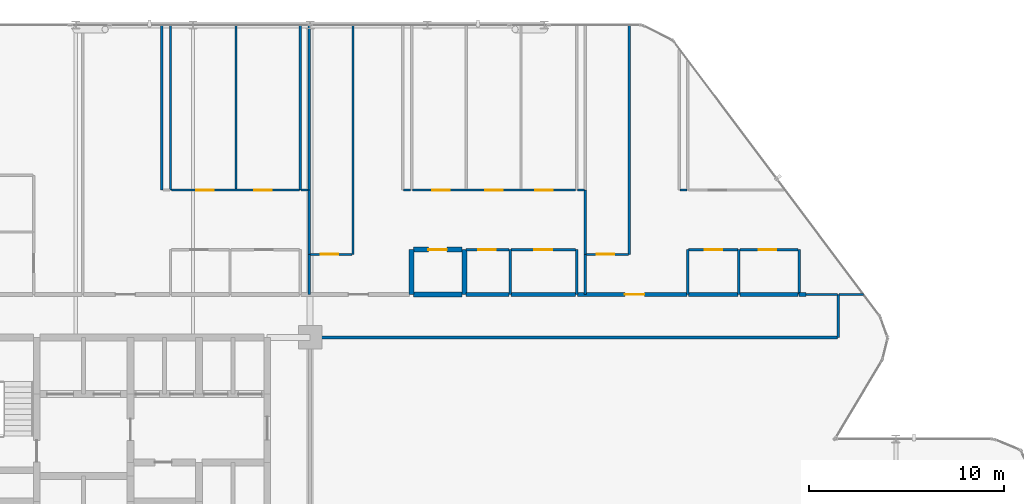
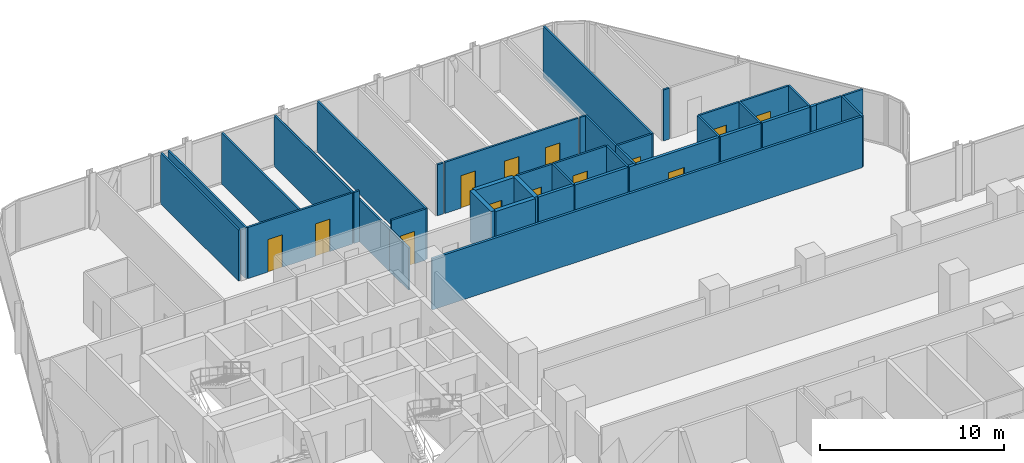
# One storey, part 31 of 34: 42 walls, 13 doors, 13 openings.
"""IFC4 building model written with IfcOpenShell, lengths in metres."""

import ifcopenshell
import ifcopenshell.guid

model = None  # the IFC model being written
_history = None  # IfcOwnerHistory: only IFC2X3 demands one
_inside = {}  # id of a spatial element -> (the spatial element, [elements in it])
_under = {}  # id of a project, library or spatial element -> (it, [spatial elements below it])
_declared = {}  # id of a project -> (the project, [libraries it declares])
_typed = {}  # id of a type object -> (the type object, [elements of that type])
_made_of = {}  # id of a material, layer set ... -> (it, [elements and type objects made of it])


def new_model(schema):
    """Start an empty IFC model of exactly this schema.

    Asked for "IFC4X3", IfcOpenShell would pick the latest addendum, in which some entities
    have other attributes; the version numbers below select the first issue.
    IFC2X3 requires an IfcOwnerHistory on every rooted entity: one is made here for all.
    """
    global model, _history
    if schema == "IFC4X3":
        model = ifcopenshell.file(schema_version=(4, 3, 0, 0))
    else:
        model = ifcopenshell.file(schema=schema)
    _inside.clear()
    _under.clear()
    _declared.clear()
    _typed.clear()
    _made_of.clear()
    _history = None
    if model.schema == "IFC2X3":
        org = make("IfcOrganization", Name="unknown")
        user = make(
            "IfcPersonAndOrganization",
            ThePerson=make("IfcPerson", FamilyName="unknown"),
            TheOrganization=org,
        )
        app = make(
            "IfcApplication",
            ApplicationDeveloper=org,
            Version="unknown",
            ApplicationFullName="unknown",
            ApplicationIdentifier="unknown",
        )
        _history = make(
            "IfcOwnerHistory",
            OwningUser=user,
            OwningApplication=app,
            ChangeAction="ADDED",
            CreationDate=0,
        )
    return model


def make(cls, **values):
    """One entity of the class cls with the attributes given. An attribute that is None is left unset."""
    return model.create_entity(
        cls, **{name: value for name, value in values.items() if value is not None}
    )


def rooted(cls, **values):
    """An entity with a GlobalId (a new one), such as an element, a storey or a relation."""
    return make(cls, GlobalId=ifcopenshell.guid.new(), OwnerHistory=_history, **values)


def si_unit(unit_type, name, prefix=None):
    """IfcSIUnit, for example si_unit("LENGTHUNIT", "METRE", prefix="MILLI")."""
    return make("IfcSIUnit", UnitType=unit_type, Prefix=prefix, Name=name)


def assignment(units):
    """IfcUnitAssignment: the units of a project."""
    return None if units is None else make("IfcUnitAssignment", Units=units)


def point(xyz):
    """IfcCartesianPoint."""
    return None if xyz is None else make("IfcCartesianPoint", Coordinates=xyz)


def direction(xyz):
    """IfcDirection."""
    return None if xyz is None else make("IfcDirection", DirectionRatios=xyz)


def frame(location, z_axis=None, x_axis=None):
    """IfcAxis2Placement3D, a coordinate frame: its origin and axes. An axis left out is left unset."""
    return make(
        "IfcAxis2Placement3D",
        Location=point(location),
        Axis=direction(z_axis),
        RefDirection=direction(x_axis),
    )


def frame_2d(location, x_axis=None):
    """IfcAxis2Placement2D, a coordinate frame in the plane: its origin and x axis."""
    return make(
        "IfcAxis2Placement2D", Location=point(location), RefDirection=direction(x_axis)
    )


def origin():
    """The frame at (0, 0, 0) with its axes left unset."""
    return frame((0.0, 0.0, 0.0))


def place(relative_to, where):
    """IfcLocalPlacement: puts the frame where relative to a parent placement (None: the world)."""
    return make(
        "IfcLocalPlacement", PlacementRelTo=relative_to, RelativePlacement=where
    )


def context(
    kind, dimensions, precision=None, world=None, true_north=None, identifier=None
):
    """IfcGeometricRepresentationContext, for example the 3D "Model" context."""
    return make(
        "IfcGeometricRepresentationContext",
        ContextIdentifier=identifier,
        ContextType=kind,
        CoordinateSpaceDimension=dimensions,
        Precision=precision,
        WorldCoordinateSystem=world,
        TrueNorth=true_north,
    )


def subcontext(parent, identifier, kind, view, scale=None):
    """IfcGeometricRepresentationSubContext, for example "Body" below "Model"."""
    return make(
        "IfcGeometricRepresentationSubContext",
        ContextIdentifier=identifier,
        ContextType=kind,
        ParentContext=parent,
        TargetScale=scale,
        TargetView=view,
    )


def project(units=None, contexts=None):
    """IfcProject with its units and contexts."""
    return rooted(
        "IfcProject",
        Name="project",
        RepresentationContexts=contexts,
        UnitsInContext=assignment(units),
    )


def spatial(cls, under=None, at=None, **own):
    """A site, building, storey or space (cls), placed at a placement, below another one or the project."""
    s = rooted(cls, ObjectPlacement=at, **own)
    if under is not None:
        _under.setdefault(under.id(), (under, []))[1].append(s)
    return s


def profile(cls, at=None, kind="AREA", **sizes):
    """A parametric profile (cls). Its sizes go by their IFC names, for example OverallWidth=200.0."""
    return make(cls, ProfileType=kind, Position=at, **sizes)


def rectangle(**sizes):
    """IfcRectangleProfileDef."""
    return profile("IfcRectangleProfileDef", **sizes)


def extrude(swept, where, along, depth):
    """IfcExtrudedAreaSolid: the profile swept, set in the frame where, extruded along a direction by depth."""
    return make(
        "IfcExtrudedAreaSolid",
        SweptArea=swept,
        Position=where,
        ExtrudedDirection=direction(along),
        Depth=depth,
    )


def shape(context_of_items, identifier, shape_type, items):
    """IfcShapeRepresentation: the items that make up one representation, for example the "Body"."""
    return make(
        "IfcShapeRepresentation",
        ContextOfItems=context_of_items,
        RepresentationIdentifier=identifier,
        RepresentationType=shape_type,
        Items=items,
    )


def material(Name=None, Category=None):
    """IfcMaterial."""
    return make("IfcMaterial", Name=Name, Category=Category)


def layer(
    of_material, thickness, ventilated=None, Name=None, Category=None, Priority=None
):
    """IfcMaterialLayer: one layer of a wall or slab, of a material (None: an air gap)."""
    return make(
        "IfcMaterialLayer",
        Material=of_material,
        LayerThickness=thickness,
        IsVentilated=ventilated,
        Name=Name,
        Category=Category,
        Priority=Priority,
    )


def layer_set(layers, Name=None):
    """IfcMaterialLayerSet."""
    return make("IfcMaterialLayerSet", MaterialLayers=layers, LayerSetName=Name)


def made_of(thing, what):
    """Note that an element or type object is made of a material, layer set ...; save() writes the relation."""
    if what is not None:
        _made_of.setdefault(what.id(), (what, []))[1].append(thing)
    return thing


def type_object(cls, material=None, **own):
    """A type object (cls), such as IfcWallType, which elements share."""
    return made_of(rooted(cls, **own), material)


def element(
    cls,
    number,
    at=None,
    inside=None,
    cuts=None,
    type_object=None,
    material=None,
    context=None,
    identifier="Body",
    shape_type=None,
    held_by="IfcProductDefinitionShape",
    body=None,
    shapes=None,
    **own,
):
    """One element of the class cls, such as IfcWall. Its Tag is "e" and its number.

    at: its placement. inside: the storey or other place that contains it. cuts: it is an
    opening in that element (IfcRelVoidsElement). A single representation is given by context,
    identifier, shape_type and body (its items); several are given by shapes. held_by: the class
    of the entity that holds the representations. save() writes the other relations.
    """
    e = rooted(cls, Tag="e%d" % number, ObjectPlacement=at, **own)
    if body is not None:
        shapes = [shape(context, identifier, shape_type, body)]
    if shapes is not None:
        e.Representation = make(held_by, Representations=shapes)
    if inside is not None:
        _inside.setdefault(inside.id(), (inside, []))[1].append(e)
    if cuts is not None:
        rooted(
            "IfcRelVoidsElement", RelatingBuildingElement=cuts, RelatedOpeningElement=e
        )
    if type_object is not None:
        _typed.setdefault(type_object.id(), (type_object, []))[1].append(e)
    return made_of(e, material)


def fill(opening, filler):
    """IfcRelFillsElement: the door or window that sits in an opening."""
    return rooted(
        "IfcRelFillsElement",
        RelatingOpeningElement=opening,
        RelatedBuildingElement=filler,
    )


def aggregate(whole, parts):
    """IfcRelAggregates: a whole, such as a stair, and the parts it consists of."""
    return rooted("IfcRelAggregates", RelatingObject=whole, RelatedObjects=parts)


def save(model, path):
    """Write the relations noted so far, then the file.

    IfcRelAggregates (storeys below a building ...), IfcRelContainedInSpatialStructure (elements
    in a storey), IfcRelDefinesByType, IfcRelAssociatesMaterial and IfcRelDeclares: one each for
    every whole, place, type object, material and project.
    """
    for whole, parts in _under.values():
        aggregate(whole, parts)
    for where, things in _inside.values():
        rooted(
            "IfcRelContainedInSpatialStructure",
            RelatedElements=things,
            RelatingStructure=where,
        )
    for kind, things in _typed.values():
        rooted("IfcRelDefinesByType", RelatedObjects=things, RelatingType=kind)
    for what, things in _made_of.values():
        rooted("IfcRelAssociatesMaterial", RelatedObjects=things, RelatingMaterial=what)
    for by, libraries in _declared.values():
        rooted("IfcRelDeclares", RelatingContext=by, RelatedDefinitions=libraries)
    model.write(path)


model = new_model("IFC4")

# Units and contexts
model_context = context("Model", 3, precision=1e-05, world=origin(), true_north=direction((0.0, 1.0)))
body_context = subcontext(model_context, "Body", "Model", "MODEL_VIEW")
ifc_project = project(units=[si_unit("LENGTHUNIT", "METRE"), si_unit("AREAUNIT", "SQUARE_METRE"), si_unit("VOLUMEUNIT", "CUBIC_METRE"), si_unit("PLANEANGLEUNIT", "RADIAN"), si_unit("MASSUNIT", "GRAM", prefix="KILO")], contexts=[model_context])

# Site, building, storey
site_placement = place(None, origin())
site = spatial("IfcSite", under=ifc_project, at=site_placement, CompositionType="ELEMENT")
building_placement = place(site_placement, origin())
building = spatial("IfcBuilding", under=site, at=building_placement, Name="Keshet Zoharim Tower", CompositionType="ELEMENT")
storey_placement = place(building_placement, frame((0.0, 0.0, 53.60009765625)))
storey = spatial("IfcBuildingStorey", under=building, at=storey_placement, Name="L12", CompositionType="ELEMENT", Elevation=53.60009765625)

# Walls
ifc_material_1 = material(Name="Gypsum Plasterboard", Category="gypsum")
ifc_layer_1 = layer(ifc_material_1, 0.14990234375)
ifc_layer_set_1 = layer_set([ifc_layer_1], Name="Gypsum Plasterboard")
wall_type_1 = type_object("IfcWallType", Name="WL-CLIN-150", PredefinedType="STANDARD", material=ifc_layer_set_1)
wall_1_placement = place(storey_placement, frame((33.070068359375, 37.89990234375, 0.0), z_axis=(0.0, 0.0, 1.0), x_axis=(1.0, 0.0, 0.0)))
element("IfcWall", 1, at=wall_1_placement, inside=storey, type_object=wall_type_1, Name="L12 Interior Wall 203", PredefinedType="STANDARD", context=body_context, shape_type="SweptSolid", body=[
    extrude(rectangle(XDim=26.934814453125, YDim=0.14990234375, at=frame_2d((13.46728515625, 0.0))), origin(), (0.0, 0.0, 1.0), 3.385009765625),
])
ifc_layer_2 = layer(ifc_material_1, 0.179931640625)
ifc_layer_set_2 = layer_set([ifc_layer_2], Name="Gypsum Plasterboard")
wall_type_2 = type_object("IfcWallType", Name="WL-CORR-180", PredefinedType="STANDARD", material=ifc_layer_set_2)
wall_2_placement = place(storey_placement, frame((40.987060546875, 40.10009765625, 0.0), z_axis=(0.0, 0.0, 1.0), x_axis=(1.0, 0.0, 0.0)))
element("IfcWall", 2, at=wall_2_placement, inside=storey, type_object=wall_type_2, Name="L12 Interior Wall 214", PredefinedType="STANDARD", context=body_context, shape_type="SweptSolid", body=[
    extrude(rectangle(XDim=2.2109375, YDim=0.179931640625, at=frame_2d((1.10546875, 0.0))), origin(), (0.0, 0.0, 1.0), 3.385009765625),
])
wall_3_placement = place(storey_placement, frame((43.2880859375, 40.10009765625, 0.0), z_axis=(0.0, 0.0, 1.0), x_axis=(1.0, 0.0, 0.0)))
element("IfcWall", 3, at=wall_3_placement, inside=storey, type_object=wall_type_2, Name="L12 Interior Wall 215", PredefinedType="STANDARD", context=body_context, shape_type="SweptSolid", body=[
    extrude(rectangle(XDim=3.306884765625, YDim=0.179931640625, at=frame_2d((1.6533203125, 0.0))), origin(), (0.0, 0.0, 1.0), 3.385009765625),
])

# Wall, opening, door
wall_4_placement = place(storey_placement, frame((46.68505859375, 40.10009765625, 0.0), z_axis=(0.0, 0.0, 1.0), x_axis=(1.0, 0.0, 0.0)))
wall_4 = element("IfcWall", 4, at=wall_4_placement, inside=storey, type_object=wall_type_2, Name="L12 Interior Wall 216", PredefinedType="STANDARD", context=body_context, shape_type="SweptSolid", body=[
    extrude(rectangle(XDim=5.60986328125, YDim=0.179931640625, at=frame_2d((2.804931640625, 0.0))), origin(), (0.0, 0.0, 1.0), 3.385009765625),
])
opening_1_placement = place(wall_4_placement, frame((2.43505859375, 0.0, 0.0)))
opening_1 = element("IfcOpeningElement", 5, at=opening_1_placement, cuts=wall_4, Name="Opening D-F310", PredefinedType="OPENING", context=body_context, shape_type="SweptSolid", body=[
    extrude(rectangle(XDim=1.0, YDim=2.14990234375, at=frame_2d((0.5, 1.074951171875))), frame((0.0, 0.10009765625, 0.0), z_axis=(0.0, -1.0, 0.0), x_axis=(1.0, 0.0, 0.0)), (0.0, 0.0, 1.0), 0.199951171875),
])
ifc_material_2 = material(Name="Hardwood Timber", Category="wood")
door_type_1 = type_object("IfcDoorType", Name="DR-FD30-100", OperationType="NOTDEFINED", PredefinedType="DOOR", material=ifc_material_2)
door_1_placement = place(opening_1_placement, origin())
door_1 = element("IfcDoor", 6, at=door_1_placement, inside=storey, type_object=door_type_1, Name="Apartment 1208 Entrance Door", OperationType="SINGLE_SWING_LEFT", OverallHeight=2.14990234375, OverallWidth=1.0, PredefinedType="DOOR", context=body_context, shape_type="SweptSolid", body=[
    extrude(rectangle(XDim=1.0, YDim=2.14990234375, at=frame_2d((0.5, 1.074951171875))), frame((0.0, 0.02490234375, 0.0), z_axis=(0.0, -1.0, 0.0), x_axis=(1.0, 0.0, 0.0)), (0.0, 0.0, 1.0), 0.050048828125),
])
fill(opening_1, door_1)

# Walls
wall_5_placement = place(storey_placement, frame((52.385009765625, 40.10009765625, 0.0), z_axis=(0.0, 0.0, 1.0), x_axis=(1.0, 0.0, 0.0)))
element("IfcWall", 7, at=wall_5_placement, inside=storey, type_object=wall_type_2, Name="L12 Interior Wall 217", PredefinedType="STANDARD", context=body_context, shape_type="SweptSolid", body=[
    extrude(rectangle(XDim=2.531005859375, YDim=0.179931640625, at=frame_2d((1.265625, 0.0))), origin(), (0.0, 0.0, 1.0), 3.385009765625),
])
wall_6_placement = place(storey_placement, frame((55.006103515625, 40.10009765625, 0.0), z_axis=(0.0, 0.0, 1.0), x_axis=(1.0, 0.0, 0.0)))
element("IfcWall", 8, at=wall_6_placement, inside=storey, type_object=wall_type_2, Name="L12 Interior Wall 218", PredefinedType="STANDARD", context=body_context, shape_type="SweptSolid", body=[
    extrude(rectangle(XDim=2.98681640625, YDim=0.179931640625, at=frame_2d((1.493408203125, 0.0))), origin(), (0.0, 0.0, 1.0), 3.385009765625),
])
wall_7_placement = place(storey_placement, frame((58.050048828125, 40.10009765625, 0.0), z_axis=(0.0, 0.0, 1.0), x_axis=(1.0, 0.0, 0.0)))
element("IfcWall", 9, at=wall_7_placement, inside=storey, type_object=wall_type_2, Name="L12 Interior Wall 219", PredefinedType="STANDARD", context=body_context, shape_type="SweptSolid", body=[
    extrude(rectangle(XDim=0.349853515625, YDim=0.179931640625, at=frame_2d((0.1748046875, 0.0))), origin(), (0.0, 0.0, 1.0), 3.385009765625),
])
ifc_material_3 = material(Name="Concrete C50/60", Category="concrete")
ifc_layer_3 = layer(ifc_material_3, 0.25)
ifc_layer_set_3 = layer_set([ifc_layer_3], Name="Concrete C50/60")
wall_type_3 = type_object("IfcWallType", Name="WL-MAMAD-250", PredefinedType="STANDARD", material=ifc_layer_set_3)
for number, where, z_axis, x_axis, name in (
    (10, (38.199951171875, 40.10009765625, 0.0), (0.0, 0.0, 1.0), (0.0, 1.0, 0.0), "L12 Interior Wall 081"),
    (11, (40.89990234375, 40.10009765625, 0.0), (0.0, 0.0, 1.0), (0.0, 1.0, 0.0), "L12 Interior Wall 085"),
):
    element("IfcWall", number, at=place(storey_placement, frame(where, z_axis=z_axis, x_axis=x_axis)), inside=storey, type_object=wall_type_3, Name=name, PredefinedType="STANDARD", context=body_context, shape_type="SweptSolid", body=[
        extrude(rectangle(XDim=2.2998046875, YDim=0.25, at=frame_2d((1.14990234375, 0.0))), origin(), (0.0, 0.0, 1.0), 3.385009765625),
    ])
wall_8_placement = place(storey_placement, frame((38.300048828125, 40.10009765625, 0.0), z_axis=(0.0, 0.0, 1.0), x_axis=(1.0, 0.0, 0.0)))
element("IfcWall", 12, at=wall_8_placement, inside=storey, type_object=wall_type_3, Name="L12 Interior Wall 213", PredefinedType="STANDARD", context=body_context, shape_type="SweptSolid", body=[
    extrude(rectangle(XDim=2.467041015625, YDim=0.25, at=frame_2d((1.2333984375, 0.0))), origin(), (0.0, 0.0, 1.0), 3.385009765625),
])

# Wall, opening, door
wall_9_placement = place(storey_placement, frame((38.300048828125, 42.39990234375, 0.0), z_axis=(0.0, 0.0, 1.0), x_axis=(1.0, 0.0, 0.0)))
wall_9 = element("IfcWall", 13, at=wall_9_placement, inside=storey, type_object=wall_type_3, Name="L12 Interior Wall 226", PredefinedType="STANDARD", context=body_context, shape_type="SweptSolid", body=[
    extrude(rectangle(XDim=2.467041015625, YDim=0.25, at=frame_2d((1.2333984375, 0.0))), origin(), (0.0, 0.0, 1.0), 3.385009765625),
])
opening_2_placement = place(wall_9_placement, frame((0.759033203125, 0.0, 0.0)))
opening_2 = element("IfcOpeningElement", 14, at=opening_2_placement, cuts=wall_9, Name="Opening D-F695", PredefinedType="OPENING", context=body_context, shape_type="SweptSolid", body=[
    extrude(rectangle(XDim=0.949951171875, YDim=2.14990234375, at=frame_2d((0.47509765625, 1.074951171875))), frame((0.0, 0.135009765625, 0.0), z_axis=(0.0, -1.0, 0.0), x_axis=(1.0, 0.0, 0.0)), (0.0, 0.0, 1.0), 0.27001953125),
])
door_type_2 = type_object("IfcDoorType", Name="DR-FD60-095", OperationType="NOTDEFINED", PredefinedType="DOOR", material=ifc_material_2)
door_2_placement = place(opening_2_placement, origin())
door_2 = element("IfcDoor", 15, at=door_2_placement, inside=storey, type_object=door_type_2, Name="Apartment 1207 Study and Shelter Room Door", OperationType="SINGLE_SWING_RIGHT", OverallHeight=2.14990234375, OverallWidth=0.949951171875, PredefinedType="DOOR", context=body_context, shape_type="SweptSolid", body=[
    extrude(rectangle(XDim=0.949951171875, YDim=2.14990234375, at=frame_2d((0.47509765625, 1.074951171875))), frame((0.0, 0.02490234375, 0.0), z_axis=(0.0, -1.0, 0.0), x_axis=(1.0, 0.0, 0.0)), (0.0, 0.0, 1.0), 0.050048828125),
])
fill(opening_2, door_2)

# Walls
ifc_layer_4 = layer(ifc_material_1, 0.1201171875)
ifc_layer_set_4 = layer_set([ifc_layer_4], Name="Gypsum Plasterboard")
wall_type_4 = type_object("IfcWallType", Name="WL-PART-120", PredefinedType="PARTITIONING", material=ifc_layer_set_4)
for number, where, z_axis, x_axis, name in (
    (16, (25.39990234375, 45.449951171875, 0.0), (0.0, 0.0, 1.0), (0.0, 1.0, 0.0), "L12 Interior Wall 041"),
    (17, (25.85009765625, 45.449951171875, 0.0), (0.0, 0.0, 1.0), (0.0, 1.0, 0.0), "L12 Interior Wall 044"),
    (18, (29.199951171875, 45.449951171875, 0.0), (0.0, 0.0, 1.0), (0.0, 1.0, 0.0), "L12 Interior Wall 058"),
    (19, (32.5, 45.449951171875, 0.0), (0.0, 0.0, 1.0), (0.0, 1.0, 0.0), "L12 Interior Wall 069"),
):
    element("IfcWall", number, at=place(storey_placement, frame(where, z_axis=z_axis, x_axis=x_axis)), inside=storey, type_object=wall_type_4, Name=name, PredefinedType="PARTITIONING", context=body_context, shape_type="SweptSolid", body=[
        extrude(rectangle(XDim=8.43994140625, YDim=0.1201171875, at=frame_2d((4.219970703125, 0.0))), origin(), (0.0, 0.0, 1.0), 3.385009765625),
    ])
wall_10_placement = place(storey_placement, frame((32.949951171875, 40.10009765625, 0.0), z_axis=(0.0, 0.0, 1.0), x_axis=(0.0, 1.0, 0.0)))
element("IfcWall", 20, at=wall_10_placement, inside=storey, type_object=wall_type_4, Name="L12 Interior Wall 072", PredefinedType="PARTITIONING", context=body_context, shape_type="SweptSolid", body=[
    extrude(rectangle(XDim=2.0498046875, YDim=0.1201171875, at=frame_2d((1.02490234375, 0.0))), origin(), (0.0, 0.0, 1.0), 2.784912109375),
])
wall_11_placement = place(storey_placement, frame((32.949951171875, 42.14990234375, 0.0), z_axis=(0.0, 0.0, 1.0), x_axis=(0.0, 1.0, 0.0)))
element("IfcWall", 21, at=wall_11_placement, inside=storey, type_object=wall_type_4, Name="L12 Interior Wall 073", PredefinedType="PARTITIONING", context=body_context, shape_type="SweptSolid", body=[
    extrude(rectangle(XDim=3.300048828125, YDim=0.1201171875, at=frame_2d((1.64990234375, 0.0))), origin(), (0.0, 0.0, 1.0), 2.784912109375),
])
wall_12_placement = place(storey_placement, frame((32.949951171875, 45.449951171875, 0.0), z_axis=(0.0, 0.0, 1.0), x_axis=(0.0, 1.0, 0.0)))
element("IfcWall", 22, at=wall_12_placement, inside=storey, type_object=wall_type_4, Name="L12 Interior Wall 074", PredefinedType="PARTITIONING", context=body_context, shape_type="SweptSolid", body=[
    extrude(rectangle(XDim=8.43994140625, YDim=0.1201171875, at=frame_2d((4.219970703125, 0.0))), origin(), (0.0, 0.0, 1.0), 2.784912109375),
])
wall_13_placement = place(storey_placement, frame((35.199951171875, 42.14990234375, 0.0), z_axis=(0.0, 0.0, 1.0), x_axis=(0.0, 1.0, 0.0)))
element("IfcWall", 23, at=wall_13_placement, inside=storey, type_object=wall_type_4, Name="L12 Interior Wall 077", PredefinedType="PARTITIONING", context=body_context, shape_type="SweptSolid", body=[
    extrude(rectangle(XDim=11.739990234375, YDim=0.1201171875, at=frame_2d((5.8701171875, 0.0))), origin(), (0.0, 0.0, 1.0), 3.385009765625),
])
wall_14_placement = place(storey_placement, frame((46.64990234375, 40.10009765625, 0.0), z_axis=(0.0, 0.0, 1.0), x_axis=(0.0, 1.0, 0.0)))
element("IfcWall", 24, at=wall_14_placement, inside=storey, type_object=wall_type_4, Name="L12 Interior Wall 095", PredefinedType="PARTITIONING", context=body_context, shape_type="SweptSolid", body=[
    extrude(rectangle(XDim=2.2998046875, YDim=0.1201171875, at=frame_2d((1.14990234375, 0.0))), origin(), (0.0, 0.0, 1.0), 3.385009765625),
])
wall_15_placement = place(storey_placement, frame((47.10009765625, 40.10009765625, 0.0), z_axis=(0.0, 0.0, 1.0), x_axis=(0.0, 1.0, 0.0)))
element("IfcWall", 25, at=wall_15_placement, inside=storey, type_object=wall_type_4, Name="L12 Interior Wall 098", PredefinedType="PARTITIONING", context=body_context, shape_type="SweptSolid", body=[
    extrude(rectangle(XDim=2.0498046875, YDim=0.1201171875, at=frame_2d((1.02490234375, 0.0))), origin(), (0.0, 0.0, 1.0), 3.385009765625),
])
wall_16_placement = place(storey_placement, frame((47.10009765625, 42.14990234375, 0.0), z_axis=(0.0, 0.0, 1.0), x_axis=(0.0, 1.0, 0.0)))
element("IfcWall", 26, at=wall_16_placement, inside=storey, type_object=wall_type_4, Name="L12 Interior Wall 099", PredefinedType="PARTITIONING", context=body_context, shape_type="SweptSolid", body=[
    extrude(rectangle(XDim=3.300048828125, YDim=0.1201171875, at=frame_2d((1.64990234375, 0.0))), origin(), (0.0, 0.0, 1.0), 3.385009765625),
])
wall_17_placement = place(storey_placement, frame((49.35009765625, 42.14990234375, 0.0), z_axis=(0.0, 0.0, 1.0), x_axis=(0.0, 1.0, 0.0)))
element("IfcWall", 27, at=wall_17_placement, inside=storey, type_object=wall_type_4, Name="L12 Interior Wall 102", PredefinedType="PARTITIONING", context=body_context, shape_type="SweptSolid", body=[
    extrude(rectangle(XDim=11.739990234375, YDim=0.1201171875, at=frame_2d((5.8701171875, 0.0))), origin(), (0.0, 0.0, 1.0), 3.385009765625),
])
wall_18_placement = place(storey_placement, frame((52.35009765625, 40.10009765625, 0.0), z_axis=(0.0, 0.0, 1.0), x_axis=(0.0, 1.0, 0.0)))
element("IfcWall", 28, at=wall_18_placement, inside=storey, type_object=wall_type_4, Name="L12 Interior Wall 107", PredefinedType="PARTITIONING", context=body_context, shape_type="SweptSolid", body=[
    extrude(rectangle(XDim=2.2998046875, YDim=0.1201171875, at=frame_2d((1.14990234375, 0.0))), origin(), (0.0, 0.0, 1.0), 3.385009765625),
])
wall_19_placement = place(storey_placement, frame((60.050048828125, 37.889892578125, 0.0), z_axis=(0.0, 0.0, 1.0), x_axis=(0.0, 1.0, 0.0)))
element("IfcWall", 29, at=wall_19_placement, inside=storey, type_object=wall_type_4, Name="L12 Interior Wall 117", PredefinedType="PARTITIONING", context=body_context, shape_type="SweptSolid", body=[
    extrude(rectangle(XDim=2.2001953125, YDim=0.1201171875, at=frame_2d((1.10009765625, 0.0))), origin(), (0.0, 0.0, 1.0), 3.385009765625),
])
wall_20_placement = place(storey_placement, frame((58.39990234375, 40.10009765625, 0.0), z_axis=(0.0, 0.0, 1.0), x_axis=(1.0, 0.0, 0.0)))
element("IfcWall", 30, at=wall_20_placement, inside=storey, type_object=wall_type_4, Name="L12 Interior Wall 220", PredefinedType="PARTITIONING", context=body_context, shape_type="SweptSolid", body=[
    extrude(rectangle(XDim=1.60498046875, YDim=0.1201171875, at=frame_2d((0.802490234375, 0.0))), origin(), (0.0, 0.0, 1.0), 3.385009765625),
])
wall_21_placement = place(storey_placement, frame((60.094970703125, 40.10009765625, 0.0), z_axis=(0.0, 0.0, 1.0), x_axis=(1.0, 0.0, 0.0)))
element("IfcWall", 31, at=wall_21_placement, inside=storey, type_object=wall_type_4, Name="L12 Interior Wall 221", PredefinedType="PARTITIONING", context=body_context, shape_type="SweptSolid", body=[
    extrude(rectangle(XDim=1.2451171875, YDim=0.1201171875, at=frame_2d((0.62255859375, 0.0))), origin(), (0.0, 0.0, 1.0), 3.385009765625),
])

# Wall, opening, door
wall_22_placement = place(storey_placement, frame((32.985107421875, 42.14990234375, 0.0), z_axis=(0.0, 0.0, 1.0), x_axis=(1.0, 0.0, 0.0)))
wall_22 = element("IfcWall", 32, at=wall_22_placement, inside=storey, type_object=wall_type_4, Name="L12 Interior Wall 222", PredefinedType="PARTITIONING", context=body_context, shape_type="SweptSolid", body=[
    extrude(rectangle(XDim=2.159912109375, YDim=0.1201171875, at=frame_2d((1.080078125, 0.0))), origin(), (0.0, 0.0, 1.0), 3.385009765625),
])
opening_3_placement = place(wall_22_placement, frame((0.552978515625, 0.0, 0.0)))
opening_3 = element("IfcOpeningElement", 33, at=opening_3_placement, cuts=wall_22, Name="Opening D-IN90", PredefinedType="OPENING", context=body_context, shape_type="SweptSolid", body=[
    extrude(rectangle(XDim=0.89990234375, YDim=2.14990234375, at=frame_2d((0.449951171875, 1.074951171875))), frame((0.0, 0.070068359375, 0.0), z_axis=(0.0, -1.0, 0.0), x_axis=(1.0, 0.0, 0.0)), (0.0, 0.0, 1.0), 0.14013671875),
])
door_type_3 = type_object("IfcDoorType", Name="DR-INT-090", OperationType="NOTDEFINED", PredefinedType="DOOR", material=ifc_material_2)
door_3_placement = place(opening_3_placement, origin())
door_3 = element("IfcDoor", 34, at=door_3_placement, inside=storey, type_object=door_type_3, Name="Apartment 1207 Formal Dining Room Door", OperationType="SINGLE_SWING_RIGHT", OverallHeight=2.14990234375, OverallWidth=0.89990234375, PredefinedType="DOOR", context=body_context, shape_type="SweptSolid", body=[
    extrude(rectangle(XDim=0.89990234375, YDim=2.14990234375, at=frame_2d((0.449951171875, 1.074951171875))), frame((0.0, 0.02490234375, 0.0), z_axis=(0.0, -1.0, 0.0), x_axis=(1.0, 0.0, 0.0)), (0.0, 0.0, 1.0), 0.050048828125),
])
fill(opening_3, door_3)

wall_23_placement = place(storey_placement, frame((47.135009765625, 42.14990234375, 0.0), z_axis=(0.0, 0.0, 1.0), x_axis=(1.0, 0.0, 0.0)))
wall_23 = element("IfcWall", 35, at=wall_23_placement, inside=storey, type_object=wall_type_4, Name="L12 Interior Wall 223", PredefinedType="PARTITIONING", context=body_context, shape_type="SweptSolid", body=[
    extrude(rectangle(XDim=2.159912109375, YDim=0.1201171875, at=frame_2d((1.080078125, 0.0))), origin(), (0.0, 0.0, 1.0), 3.385009765625),
])
opening_4_placement = place(wall_23_placement, frame((0.552978515625, 0.0, 0.0)))
opening_4 = element("IfcOpeningElement", 36, at=opening_4_placement, cuts=wall_23, Name="Opening D-IN90", PredefinedType="OPENING", context=body_context, shape_type="SweptSolid", body=[
    extrude(rectangle(XDim=0.89990234375, YDim=2.14990234375, at=frame_2d((0.449951171875, 1.074951171875))), frame((0.0, 0.070068359375, 0.0), z_axis=(0.0, -1.0, 0.0), x_axis=(1.0, 0.0, 0.0)), (0.0, 0.0, 1.0), 0.14013671875),
])
door_4_placement = place(opening_4_placement, origin())
door_4 = element("IfcDoor", 37, at=door_4_placement, inside=storey, type_object=door_type_3, Name="Apartment 1208 Formal Dining Room Door", OperationType="SINGLE_SWING_LEFT", OverallHeight=2.14990234375, OverallWidth=0.89990234375, PredefinedType="DOOR", context=body_context, shape_type="SweptSolid", body=[
    extrude(rectangle(XDim=0.89990234375, YDim=2.14990234375, at=frame_2d((0.449951171875, 1.074951171875))), frame((0.0, 0.02490234375, 0.0), z_axis=(0.0, -1.0, 0.0), x_axis=(1.0, 0.0, 0.0)), (0.0, 0.0, 1.0), 0.050048828125),
])
fill(opening_4, door_4)

wall_24_placement = place(storey_placement, frame((43.2880859375, 42.39990234375, 0.0), z_axis=(0.0, 0.0, 1.0), x_axis=(1.0, 0.0, 0.0)))
wall_24 = element("IfcWall", 38, at=wall_24_placement, inside=storey, type_object=wall_type_4, Name="L12 Interior Wall 228", PredefinedType="PARTITIONING", context=body_context, shape_type="SweptSolid", body=[
    extrude(rectangle(XDim=3.306884765625, YDim=0.1201171875, at=frame_2d((1.6533203125, 0.0))), origin(), (0.0, 0.0, 1.0), 3.385009765625),
])
opening_5_placement = place(wall_24_placement, frame((1.2041015625, 0.0, 0.0)))
opening_5 = element("IfcOpeningElement", 39, at=opening_5_placement, cuts=wall_24, Name="Opening D-IN90", PredefinedType="OPENING", context=body_context, shape_type="SweptSolid", body=[
    extrude(rectangle(XDim=0.89990234375, YDim=2.14990234375, at=frame_2d((0.449951171875, 1.074951171875))), frame((0.0, 0.070068359375, 0.0), z_axis=(0.0, -1.0, 0.0), x_axis=(1.0, 0.0, 0.0)), (0.0, 0.0, 1.0), 0.14013671875),
])
door_5_placement = place(opening_5_placement, origin())
door_5 = element("IfcDoor", 40, at=door_5_placement, inside=storey, type_object=door_type_3, Name="Apartment 1207 Kitchen Door", OperationType="SINGLE_SWING_RIGHT", OverallHeight=2.14990234375, OverallWidth=0.89990234375, PredefinedType="DOOR", context=body_context, shape_type="SweptSolid", body=[
    extrude(rectangle(XDim=0.89990234375, YDim=2.14990234375, at=frame_2d((0.449951171875, 1.074951171875))), frame((0.0, 0.02490234375, 0.0), z_axis=(0.0, -1.0, 0.0), x_axis=(1.0, 0.0, 0.0)), (0.0, 0.0, 1.0), 0.050048828125),
])
fill(opening_5, door_5)

wall_25_placement = place(storey_placement, frame((52.385009765625, 42.39990234375, 0.0), z_axis=(0.0, 0.0, 1.0), x_axis=(1.0, 0.0, 0.0)))
wall_25 = element("IfcWall", 41, at=wall_25_placement, inside=storey, type_object=wall_type_4, Name="L12 Interior Wall 229", PredefinedType="PARTITIONING", context=body_context, shape_type="SweptSolid", body=[
    extrude(rectangle(XDim=2.531005859375, YDim=0.1201171875, at=frame_2d((1.265625, 0.0))), origin(), (0.0, 0.0, 1.0), 3.385009765625),
])
opening_6_placement = place(wall_25_placement, frame((0.81591796875, 0.0, 0.0)))
opening_6 = element("IfcOpeningElement", 42, at=opening_6_placement, cuts=wall_25, Name="Opening D-IN90", PredefinedType="OPENING", context=body_context, shape_type="SweptSolid", body=[
    extrude(rectangle(XDim=0.89990234375, YDim=2.14990234375, at=frame_2d((0.449951171875, 1.074951171875))), frame((0.0, 0.070068359375, 0.0), z_axis=(0.0, -1.0, 0.0), x_axis=(1.0, 0.0, 0.0)), (0.0, 0.0, 1.0), 0.14013671875),
])
door_6_placement = place(opening_6_placement, origin())
door_6 = element("IfcDoor", 43, at=door_6_placement, inside=storey, type_object=door_type_3, Name="Apartment 1208 Kitchen Door", OperationType="SINGLE_SWING_LEFT", OverallHeight=2.14990234375, OverallWidth=0.89990234375, PredefinedType="DOOR", context=body_context, shape_type="SweptSolid", body=[
    extrude(rectangle(XDim=0.89990234375, YDim=2.14990234375, at=frame_2d((0.449951171875, 1.074951171875))), frame((0.0, 0.02490234375, 0.0), z_axis=(0.0, -1.0, 0.0), x_axis=(1.0, 0.0, 0.0)), (0.0, 0.0, 1.0), 0.050048828125),
])
fill(opening_6, door_6)

# Wall, openings, doors
wall_26_placement = place(storey_placement, frame((25.905029296875, 45.449951171875, 0.0), z_axis=(0.0, 0.0, 1.0), x_axis=(1.0, 0.0, 0.0)))
wall_26 = element("IfcWall", 44, at=wall_26_placement, inside=storey, type_object=wall_type_4, Name="L12 Interior Wall 233", PredefinedType="PARTITIONING", context=body_context, shape_type="SweptSolid", body=[
    extrude(rectangle(XDim=6.5400390625, YDim=0.1201171875, at=frame_2d((3.27001953125, 0.0))), origin(), (0.0, 0.0, 1.0), 3.385009765625),
])
opening_7_placement = place(wall_26_placement, frame((1.26611328125, 0.0, 0.0)))
opening_7 = element("IfcOpeningElement", 45, at=opening_7_placement, cuts=wall_26, Name="Opening D-IN90", PredefinedType="OPENING", context=body_context, shape_type="SweptSolid", body=[
    extrude(rectangle(XDim=0.89990234375, YDim=2.14990234375, at=frame_2d((0.449951171875, 1.074951171875))), frame((0.0, 0.070068359375, 0.0), z_axis=(0.0, -1.0, 0.0), x_axis=(1.0, 0.0, 0.0)), (0.0, 0.0, 1.0), 0.14013671875),
])
opening_8_placement = place(wall_26_placement, frame((4.23095703125, 0.0, 0.0)))
opening_8 = element("IfcOpeningElement", 46, at=opening_8_placement, cuts=wall_26, Name="Opening D-IN90", PredefinedType="OPENING", context=body_context, shape_type="SweptSolid", body=[
    extrude(rectangle(XDim=0.89990234375, YDim=2.14990234375, at=frame_2d((0.449951171875, 1.074951171875))), frame((0.0, 0.070068359375, 0.0), z_axis=(0.0, -1.0, 0.0), x_axis=(1.0, 0.0, 0.0)), (0.0, 0.0, 1.0), 0.14013671875),
])
door_7_placement = place(opening_7_placement, origin())
door_7 = element("IfcDoor", 47, at=door_7_placement, inside=storey, type_object=door_type_3, Name="Apartment 1206 Bedroom 1 Door", OperationType="SINGLE_SWING_LEFT", OverallHeight=2.14990234375, OverallWidth=0.89990234375, PredefinedType="DOOR", context=body_context, shape_type="SweptSolid", body=[
    extrude(rectangle(XDim=0.89990234375, YDim=2.14990234375, at=frame_2d((0.449951171875, 1.074951171875))), frame((0.0, 0.02490234375, 0.0), z_axis=(0.0, -1.0, 0.0), x_axis=(1.0, 0.0, 0.0)), (0.0, 0.0, 1.0), 0.050048828125),
])
fill(opening_7, door_7)
door_8_placement = place(opening_8_placement, origin())
door_8 = element("IfcDoor", 48, at=door_8_placement, inside=storey, type_object=door_type_3, Name="Apartment 1206 Bedroom 2 Door", OperationType="SINGLE_SWING_RIGHT", OverallHeight=2.14990234375, OverallWidth=0.89990234375, PredefinedType="DOOR", context=body_context, shape_type="SweptSolid", body=[
    extrude(rectangle(XDim=0.89990234375, YDim=2.14990234375, at=frame_2d((0.449951171875, 1.074951171875))), frame((0.0, 0.02490234375, 0.0), z_axis=(0.0, -1.0, 0.0), x_axis=(1.0, 0.0, 0.0)), (0.0, 0.0, 1.0), 0.050048828125),
])
fill(opening_8, door_8)

# Walls
for number, where, z_axis, x_axis, name in (
    (49, (32.534912109375, 45.449951171875, 0.0), (0.0, 0.0, 1.0), (1.0, 0.0, 0.0), "L12 Interior Wall 234"),
    (50, (37.784912109375, 45.449951171875, 0.0), (0.0, 0.0, 1.0), (1.0, 0.0, 0.0), "L12 Interior Wall 235"),
):
    element("IfcWall", number, at=place(storey_placement, frame(where, z_axis=z_axis, x_axis=x_axis)), inside=storey, type_object=wall_type_4, Name=name, PredefinedType="PARTITIONING", context=body_context, shape_type="SweptSolid", body=[
        extrude(rectangle(XDim=0.360107421875, YDim=0.1201171875, at=frame_2d((0.18017578125, 0.0))), origin(), (0.0, 0.0, 1.0), 3.385009765625),
    ])

# Wall, openings, doors
wall_27_placement = place(storey_placement, frame((38.235107421875, 45.449951171875, 0.0), z_axis=(0.0, 0.0, 1.0), x_axis=(1.0, 0.0, 0.0)))
wall_27 = element("IfcWall", 51, at=wall_27_placement, inside=storey, type_object=wall_type_4, Name="L12 Interior Wall 236", PredefinedType="PARTITIONING", context=body_context, shape_type="SweptSolid", body=[
    extrude(rectangle(XDim=8.35986328125, YDim=0.1201171875, at=frame_2d((4.179931640625, 0.0))), origin(), (0.0, 0.0, 1.0), 3.385009765625),
])
opening_9_placement = place(wall_27_placement, frame((1.013916015625, 0.0, 0.0)))
opening_9 = element("IfcOpeningElement", 52, at=opening_9_placement, cuts=wall_27, Name="Opening D-IN90", PredefinedType="OPENING", context=body_context, shape_type="SweptSolid", body=[
    extrude(rectangle(XDim=0.89990234375, YDim=2.14990234375, at=frame_2d((0.449951171875, 1.074951171875))), frame((0.0, 0.070068359375, 0.0), z_axis=(0.0, -1.0, 0.0), x_axis=(1.0, 0.0, 0.0)), (0.0, 0.0, 1.0), 0.14013671875),
])
opening_10_placement = place(wall_27_placement, frame((3.72998046875, 0.0, 0.0)))
opening_10 = element("IfcOpeningElement", 53, at=opening_10_placement, cuts=wall_27, Name="Opening D-IN90", PredefinedType="OPENING", context=body_context, shape_type="SweptSolid", body=[
    extrude(rectangle(XDim=0.89990234375, YDim=2.14990234375, at=frame_2d((0.449951171875, 1.074951171875))), frame((0.0, 0.070068359375, 0.0), z_axis=(0.0, -1.0, 0.0), x_axis=(1.0, 0.0, 0.0)), (0.0, 0.0, 1.0), 0.14013671875),
])
opening_11_placement = place(wall_27_placement, frame((6.297119140625, 0.0, 0.0)))
opening_11 = element("IfcOpeningElement", 54, at=opening_11_placement, cuts=wall_27, Name="Opening D-IN90", PredefinedType="OPENING", context=body_context, shape_type="SweptSolid", body=[
    extrude(rectangle(XDim=0.89990234375, YDim=2.14990234375, at=frame_2d((0.449951171875, 1.074951171875))), frame((0.0, 0.070068359375, 0.0), z_axis=(0.0, -1.0, 0.0), x_axis=(1.0, 0.0, 0.0)), (0.0, 0.0, 1.0), 0.14013671875),
])
door_9_placement = place(opening_9_placement, origin())
door_9 = element("IfcDoor", 55, at=door_9_placement, inside=storey, type_object=door_type_3, Name="Apartment 1207 Bedroom 1 Door", OperationType="SINGLE_SWING_LEFT", OverallHeight=2.14990234375, OverallWidth=0.89990234375, PredefinedType="DOOR", context=body_context, shape_type="SweptSolid", body=[
    extrude(rectangle(XDim=0.89990234375, YDim=2.14990234375, at=frame_2d((0.449951171875, 1.074951171875))), frame((0.0, 0.02490234375, 0.0), z_axis=(0.0, -1.0, 0.0), x_axis=(1.0, 0.0, 0.0)), (0.0, 0.0, 1.0), 0.050048828125),
])
fill(opening_9, door_9)
door_10_placement = place(opening_10_placement, origin())
door_10 = element("IfcDoor", 56, at=door_10_placement, inside=storey, type_object=door_type_3, Name="Apartment 1207 Bedroom 2 Door", OperationType="SINGLE_SWING_RIGHT", OverallHeight=2.14990234375, OverallWidth=0.89990234375, PredefinedType="DOOR", context=body_context, shape_type="SweptSolid", body=[
    extrude(rectangle(XDim=0.89990234375, YDim=2.14990234375, at=frame_2d((0.449951171875, 1.074951171875))), frame((0.0, 0.02490234375, 0.0), z_axis=(0.0, -1.0, 0.0), x_axis=(1.0, 0.0, 0.0)), (0.0, 0.0, 1.0), 0.050048828125),
])
fill(opening_10, door_10)
door_11_placement = place(opening_11_placement, origin())
door_11 = element("IfcDoor", 57, at=door_11_placement, inside=storey, type_object=door_type_3, Name="Apartment 1207 Bedroom 3 Door", OperationType="SINGLE_SWING_LEFT", OverallHeight=2.14990234375, OverallWidth=0.89990234375, PredefinedType="DOOR", context=body_context, shape_type="SweptSolid", body=[
    extrude(rectangle(XDim=0.89990234375, YDim=2.14990234375, at=frame_2d((0.449951171875, 1.074951171875))), frame((0.0, 0.02490234375, 0.0), z_axis=(0.0, -1.0, 0.0), x_axis=(1.0, 0.0, 0.0)), (0.0, 0.0, 1.0), 0.050048828125),
])
fill(opening_11, door_11)

# Walls
for number, where, z_axis, x_axis, name in (
    (58, (46.68505859375, 45.449951171875, 0.0), (0.0, 0.0, 1.0), (1.0, 0.0, 0.0), "L12 Interior Wall 237"),
    (59, (51.93505859375, 45.449951171875, 0.0), (0.0, 0.0, 1.0), (1.0, 0.0, 0.0), "L12 Interior Wall 238"),
):
    element("IfcWall", number, at=place(storey_placement, frame(where, z_axis=z_axis, x_axis=x_axis)), inside=storey, type_object=wall_type_4, Name=name, PredefinedType="PARTITIONING", context=body_context, shape_type="SweptSolid", body=[
        extrude(rectangle(XDim=0.35986328125, YDim=0.1201171875, at=frame_2d((0.179931640625, 0.0))), origin(), (0.0, 0.0, 1.0), 3.385009765625),
    ])
ifc_layer_5 = layer(ifc_material_1, 0.1201171875)
ifc_layer_set_5 = layer_set([ifc_layer_5], Name="Gypsum Plasterboard")
wall_type_5 = type_object("IfcWallType", Name="WL-WET-120", PredefinedType="PARTITIONING", material=ifc_layer_set_5)
for number, where, z_axis, x_axis, name in (
    (60, (43.25, 40.10009765625, 0.0), (0.0, 0.0, 1.0), (0.0, 1.0, 0.0), "L12 Interior Wall 088"),
    (61, (54.949951171875, 40.10009765625, 0.0), (0.0, 0.0, 1.0), (0.0, 1.0, 0.0), "L12 Interior Wall 111"),
    (62, (58.050048828125, 40.10009765625, 0.0), (0.0, 0.0, 1.0), (0.0, 1.0, 0.0), "L12 Interior Wall 113"),
):
    element("IfcWall", number, at=place(storey_placement, frame(where, z_axis=z_axis, x_axis=x_axis)), inside=storey, type_object=wall_type_5, Name=name, PredefinedType="PARTITIONING", context=body_context, shape_type="SweptSolid", body=[
        extrude(rectangle(XDim=2.2998046875, YDim=0.1201171875, at=frame_2d((1.14990234375, 0.0))), origin(), (0.0, 0.0, 1.0), 3.385009765625),
    ])

# Wall, opening, door
wall_28_placement = place(storey_placement, frame((40.987060546875, 42.39990234375, 0.0), z_axis=(0.0, 0.0, 1.0), x_axis=(1.0, 0.0, 0.0)))
wall_28 = element("IfcWall", 63, at=wall_28_placement, inside=storey, type_object=wall_type_5, Name="L12 Interior Wall 227", PredefinedType="PARTITIONING", context=body_context, shape_type="SweptSolid", body=[
    extrude(rectangle(XDim=2.2109375, YDim=0.1201171875, at=frame_2d((1.10546875, 0.0))), origin(), (0.0, 0.0, 1.0), 3.385009765625),
])
opening_12_placement = place(wall_28_placement, frame((0.623046875, 0.0, 0.0)))
opening_12 = element("IfcOpeningElement", 64, at=opening_12_placement, cuts=wall_28, Name="Opening D-WT90", PredefinedType="OPENING", context=body_context, shape_type="SweptSolid", body=[
    extrude(rectangle(XDim=0.89990234375, YDim=2.10009765625, at=frame_2d((0.449951171875, 1.050048828125))), frame((0.0, 0.070068359375, 0.0), z_axis=(0.0, -1.0, 0.0), x_axis=(1.0, 0.0, 0.0)), (0.0, 0.0, 1.0), 0.14013671875),
])
door_type_4 = type_object("IfcDoorType", Name="DR-WET-090", OperationType="NOTDEFINED", PredefinedType="DOOR", material=ifc_material_2)
door_12_placement = place(opening_12_placement, origin())
door_12 = element("IfcDoor", 65, at=door_12_placement, inside=storey, type_object=door_type_4, Name="Apartment 1207 Bathroom Door", OperationType="SINGLE_SWING_LEFT", OverallHeight=2.10009765625, OverallWidth=0.89990234375, PredefinedType="DOOR", context=body_context, shape_type="SweptSolid", body=[
    extrude(rectangle(XDim=0.89990234375, YDim=2.10009765625, at=frame_2d((0.449951171875, 1.050048828125))), frame((0.0, 0.02490234375, 0.0), z_axis=(0.0, -1.0, 0.0), x_axis=(1.0, 0.0, 0.0)), (0.0, 0.0, 1.0), 0.050048828125),
])
fill(opening_12, door_12)

wall_29_placement = place(storey_placement, frame((55.006103515625, 42.39990234375, 0.0), z_axis=(0.0, 0.0, 1.0), x_axis=(1.0, 0.0, 0.0)))
wall_29 = element("IfcWall", 66, at=wall_29_placement, inside=storey, type_object=wall_type_5, Name="L12 Interior Wall 230", PredefinedType="PARTITIONING", context=body_context, shape_type="SweptSolid", body=[
    extrude(rectangle(XDim=2.98681640625, YDim=0.1201171875, at=frame_2d((1.493408203125, 0.0))), origin(), (0.0, 0.0, 1.0), 3.385009765625),
])
opening_13_placement = place(wall_29_placement, frame((0.968017578125, 0.0, 0.0)))
opening_13 = element("IfcOpeningElement", 67, at=opening_13_placement, cuts=wall_29, Name="Opening D-WT90", PredefinedType="OPENING", context=body_context, shape_type="SweptSolid", body=[
    extrude(rectangle(XDim=0.89990234375, YDim=2.10009765625, at=frame_2d((0.449951171875, 1.050048828125))), frame((0.0, 0.070068359375, 0.0), z_axis=(0.0, -1.0, 0.0), x_axis=(1.0, 0.0, 0.0)), (0.0, 0.0, 1.0), 0.14013671875),
])
door_13_placement = place(opening_13_placement, origin())
door_13 = element("IfcDoor", 68, at=door_13_placement, inside=storey, type_object=door_type_4, Name="Apartment 1208 Bathroom Door", OperationType="SINGLE_SWING_RIGHT", OverallHeight=2.10009765625, OverallWidth=0.89990234375, PredefinedType="DOOR", context=body_context, shape_type="SweptSolid", body=[
    extrude(rectangle(XDim=0.89990234375, YDim=2.10009765625, at=frame_2d((0.449951171875, 1.050048828125))), frame((0.0, 0.02490234375, 0.0), z_axis=(0.0, -1.0, 0.0), x_axis=(1.0, 0.0, 0.0)), (0.0, 0.0, 1.0), 0.050048828125),
])
fill(opening_13, door_13)

save(model, "model.ifc")
